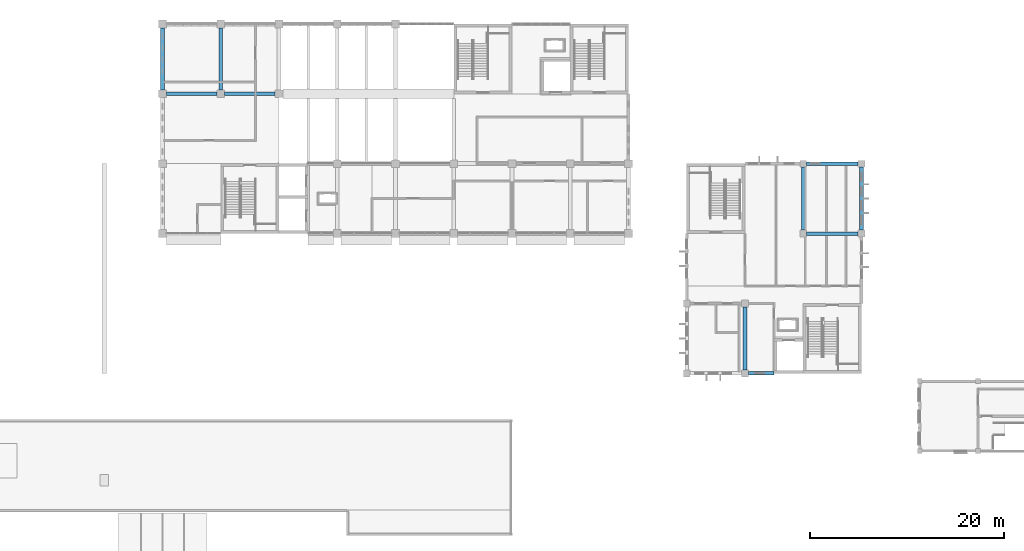
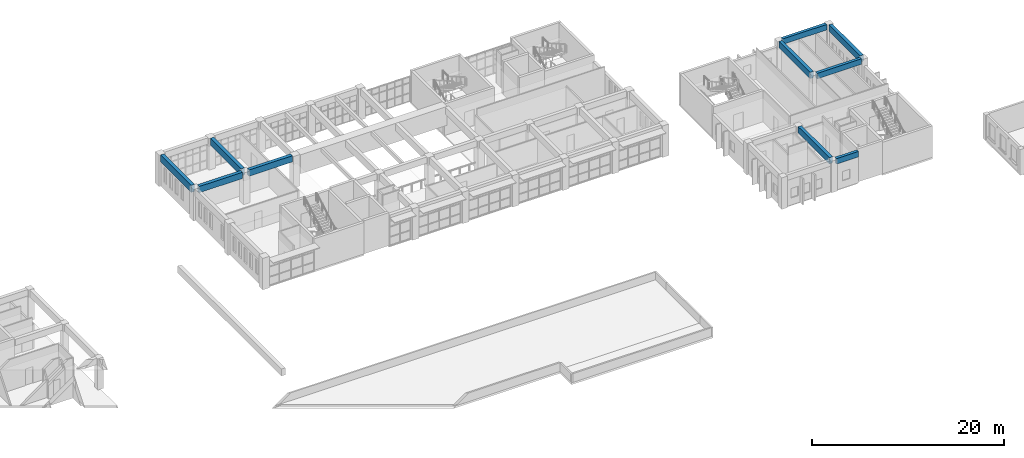
# One storey, part 17 of 47: 10 beams.
"""IFC4 building model written with IfcOpenShell, lengths in metres."""

from ifc_helpers import new_model, si_unit, direction, frame, origin, origin_2d, place, context, subcontext, project, spatial, rectangle, extrude, material, material_profile, profile_set, type_object, element, save


model = new_model("IFC4")

# Units and contexts
model_context = context("Model", 3, precision=1e-05, world=origin(), true_north=direction((0.0, 1.0)))
body_context = subcontext(model_context, "Body", "Model", "MODEL_VIEW")
ifc_project = project(units=[si_unit("LENGTHUNIT", "METRE"), si_unit("AREAUNIT", "SQUARE_METRE"), si_unit("VOLUMEUNIT", "CUBIC_METRE"), si_unit("PLANEANGLEUNIT", "RADIAN"), si_unit("MASSUNIT", "GRAM", prefix="KILO")], contexts=[model_context])

# Site, building, storey
site_placement = place(None, origin())
site = spatial("IfcSite", under=ifc_project, at=site_placement, CompositionType="ELEMENT")
building_placement = place(site_placement, origin())
building = spatial("IfcBuilding", under=site, at=building_placement, Name="Laocheng Heights Fire and Rescue Headquarters", CompositionType="ELEMENT")
storey_placement = place(building_placement, frame((0.0, 0.0, 16.800048828125)))
storey = spatial("IfcBuildingStorey", under=building, at=storey_placement, Name="L04", CompositionType="ELEMENT", Elevation=16.800048828125)

# Beams
ifc_material_1 = material(Name="Concrete C40", Category="concrete")
ifc_material_profile_1 = material_profile(ifc_material_1, rectangle(XDim=0.35009765625, YDim=0.699951171875, at=origin_2d()), Name="RC BEAM 350x700 CREW")
ifc_profile_set_1 = profile_set([ifc_material_profile_1], Name="Concrete C40")
beam_type_1 = type_object("IfcBeamType", Name="RC BEAM 350x700 CREW", PredefinedType="BEAM", material=ifc_profile_set_1)
beam_placement = place(storey_placement, frame((96.35009765625, 36.0, 3.64990234375), z_axis=(1.0, 0.0, 0.0), x_axis=(0.0, 1.0, 0.0)))
element("IfcBeam", 1, at=beam_placement, inside=storey, type_object=beam_type_1, Name="Crew beam L04", PredefinedType="BEAM", context=body_context, shape_type="SweptSolid", body=[
    extrude(rectangle(XDim=0.35009765625, YDim=0.699951171875, at=origin_2d()), origin(), (0.0, 0.0, 1.0), 2.64990234375),
])
for number, where, z_axis, x_axis, name in (
    (2, (102.35009765625, 50.39990234375, 3.64990234375), (1.0, 0.0, 0.0), (0.0, 1.0, 0.0), "Crew beam L04"),
    (3, (102.35009765625, 57.60009765625, 3.64990234375), (1.0, 0.0, 0.0), (0.0, 1.0, 0.0), "Crew beam L04"),
):
    element("IfcBeam", number, at=place(storey_placement, frame(where, z_axis=z_axis, x_axis=x_axis)), inside=storey, type_object=beam_type_1, Name=name, PredefinedType="BEAM", context=body_context, shape_type="SweptSolid", body=[
        extrude(rectangle(XDim=0.35009765625, YDim=0.699951171875, at=origin_2d()), origin(), (0.0, 0.0, 1.0), 5.2998046875),
    ])
ifc_material_2 = material(Name="Concrete C40", Category="concrete")
ifc_material_profile_2 = material_profile(ifc_material_2, rectangle(XDim=0.39990234375, YDim=0.800048828125, at=origin_2d()), Name="RC BEAM 400x800 CREW")
ifc_profile_set_2 = profile_set([ifc_material_profile_2], Name="Concrete C40")
beam_type_2 = type_object("IfcBeamType", Name="RC BEAM 400x800 CREW", PredefinedType="BEAM", material=ifc_profile_set_2)
for number, where, z_axis, x_axis, name in (
    (4, (96.0, 36.35009765625, 3.599853515625), (0.0, 1.0, 0.0), (-1.0, 0.0, 0.0), "Crew beam L04"),
    (5, (102.0, 50.75, 3.599853515625), (0.0, 1.0, 0.0), (-1.0, 0.0, 0.0), "Crew beam L04"),
    (6, (108.0, 50.75, 3.599853515625), (0.0, 1.0, 0.0), (-1.0, 0.0, 0.0), "Crew beam L04"),
):
    element("IfcBeam", number, at=place(storey_placement, frame(where, z_axis=z_axis, x_axis=x_axis)), inside=storey, type_object=beam_type_2, Name=name, PredefinedType="BEAM", context=body_context, shape_type="SweptSolid", body=[
        extrude(rectangle(XDim=0.39990234375, YDim=0.800048828125, at=origin_2d()), origin(), (0.0, 0.0, 1.0), 6.5),
    ])
ifc_material_3 = material(Name="Concrete C40", Category="concrete")
ifc_material_profile_3 = material_profile(ifc_material_3, rectangle(XDim=0.39990234375, YDim=0.800048828125, at=origin_2d()), Name="RC BEAM 400x800 HQ")
ifc_profile_set_3 = profile_set([ifc_material_profile_3], Name="Concrete C40")
beam_type_3 = type_object("IfcBeamType", Name="RC BEAM 400x800 HQ", PredefinedType="BEAM", material=ifc_profile_set_3)
for number, where, z_axis, x_axis, name in (
    (7, (36.39990234375, 64.800048828125, 3.599853515625), (1.0, 0.0, 0.0), (0.0, 1.0, 0.0), "HQ beam L04"),
    (8, (42.39990234375, 64.800048828125, 3.599853515625), (1.0, 0.0, 0.0), (0.0, 1.0, 0.0), "HQ beam L04"),
):
    element("IfcBeam", number, at=place(storey_placement, frame(where, z_axis=z_axis, x_axis=x_axis)), inside=storey, type_object=beam_type_3, Name=name, PredefinedType="BEAM", context=body_context, shape_type="SweptSolid", body=[
        extrude(rectangle(XDim=0.39990234375, YDim=0.800048828125, at=origin_2d()), origin(), (0.0, 0.0, 1.0), 5.2001953125),
    ])
ifc_material_4 = material(Name="Concrete C40", Category="concrete")
ifc_material_profile_4 = material_profile(ifc_material_4, rectangle(XDim=0.39990234375, YDim=0.89990234375, at=origin_2d()), Name="RC BEAM 400x900 HQ")
ifc_profile_set_4 = profile_set([ifc_material_profile_4], Name="Concrete C40")
beam_type_4 = type_object("IfcBeamType", Name="RC BEAM 400x900 HQ", PredefinedType="BEAM", material=ifc_profile_set_4)
for number, where, z_axis, x_axis, name in (
    (9, (36.0, 65.199951171875, 3.550048828125), (0.0, 1.0, 0.0), (-1.0, 0.0, 0.0), "HQ beam L04"),
    (10, (42.0, 65.199951171875, 3.550048828125), (0.0, 1.0, 0.0), (-1.0, 0.0, 0.0), "HQ beam L04"),
):
    element("IfcBeam", number, at=place(storey_placement, frame(where, z_axis=z_axis, x_axis=x_axis)), inside=storey, type_object=beam_type_4, Name=name, PredefinedType="BEAM", context=body_context, shape_type="SweptSolid", body=[
        extrude(rectangle(XDim=0.39990234375, YDim=0.89990234375, at=origin_2d()), origin(), (0.0, 0.0, 1.0), 6.400146484375),
    ])

save(model, "model.ifc")
